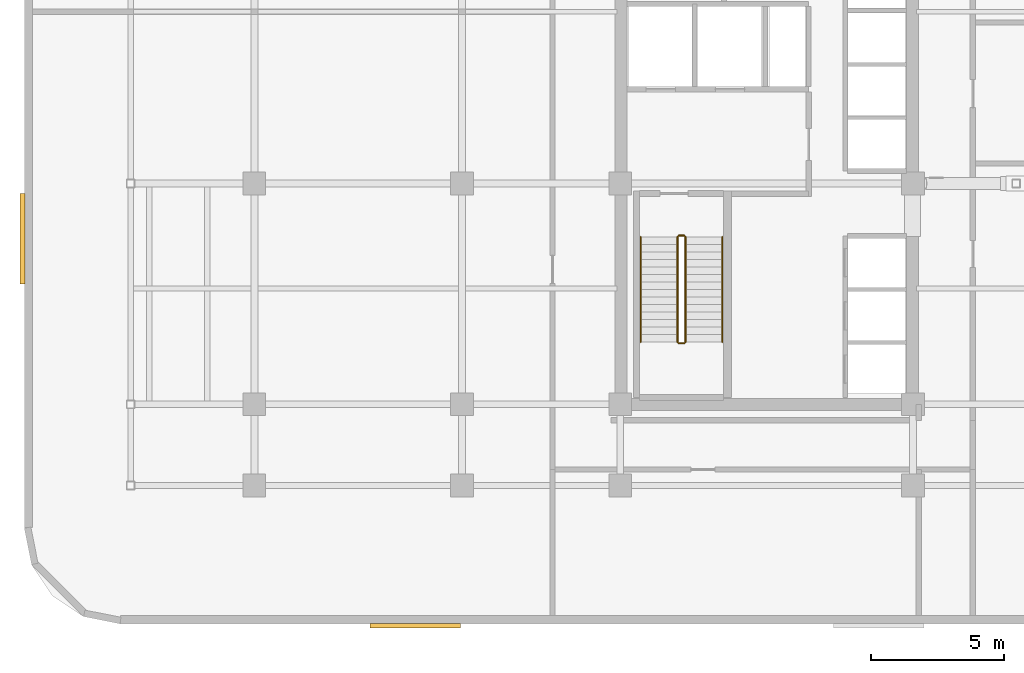
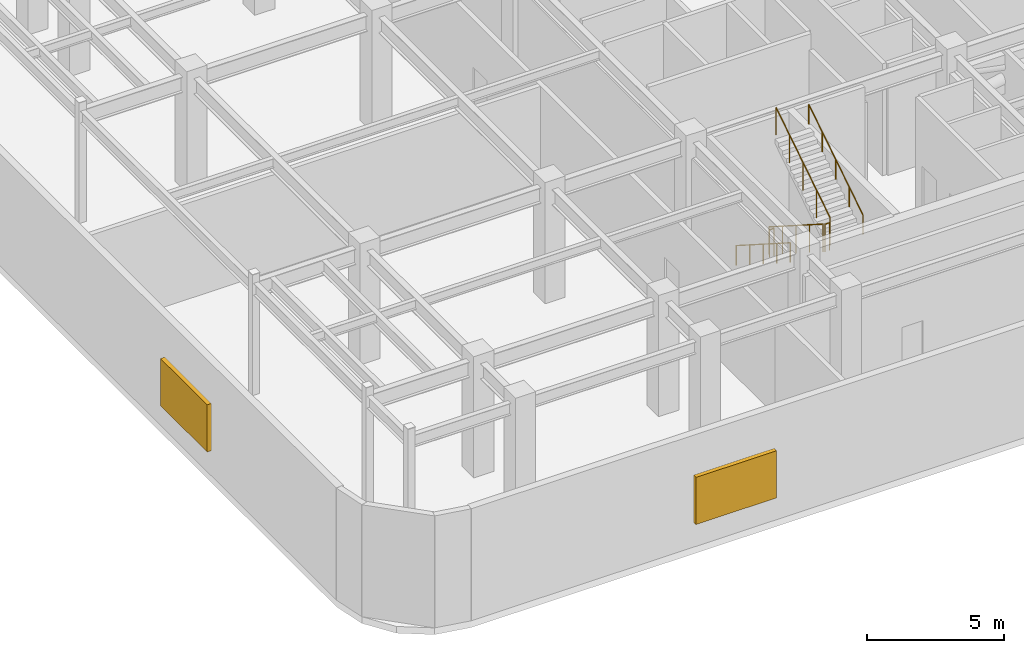
# One storey, part 11 of 14: 6 railings, 2 shading devices.
"""IFC4 building model written with IfcOpenShell, lengths in metres."""

import ifcopenshell
import ifcopenshell.guid

model = None  # the IFC model being written
_history = None  # IfcOwnerHistory: only IFC2X3 demands one
_inside = {}  # id of a spatial element -> (the spatial element, [elements in it])
_under = {}  # id of a project, library or spatial element -> (it, [spatial elements below it])
_declared = {}  # id of a project -> (the project, [libraries it declares])
_typed = {}  # id of a type object -> (the type object, [elements of that type])
_made_of = {}  # id of a material, layer set ... -> (it, [elements and type objects made of it])


def new_model(schema):
    """Start an empty IFC model of exactly this schema.

    Asked for "IFC4X3", IfcOpenShell would pick the latest addendum, in which some entities
    have other attributes; the version numbers below select the first issue.
    IFC2X3 requires an IfcOwnerHistory on every rooted entity: one is made here for all.
    """
    global model, _history
    if schema == "IFC4X3":
        model = ifcopenshell.file(schema_version=(4, 3, 0, 0))
    else:
        model = ifcopenshell.file(schema=schema)
    _inside.clear()
    _under.clear()
    _declared.clear()
    _typed.clear()
    _made_of.clear()
    _history = None
    if model.schema == "IFC2X3":
        org = make("IfcOrganization", Name="unknown")
        user = make(
            "IfcPersonAndOrganization",
            ThePerson=make("IfcPerson", FamilyName="unknown"),
            TheOrganization=org,
        )
        app = make(
            "IfcApplication",
            ApplicationDeveloper=org,
            Version="unknown",
            ApplicationFullName="unknown",
            ApplicationIdentifier="unknown",
        )
        _history = make(
            "IfcOwnerHistory",
            OwningUser=user,
            OwningApplication=app,
            ChangeAction="ADDED",
            CreationDate=0,
        )
    return model


def make(cls, **values):
    """One entity of the class cls with the attributes given. An attribute that is None is left unset."""
    return model.create_entity(
        cls, **{name: value for name, value in values.items() if value is not None}
    )


def rooted(cls, **values):
    """An entity with a GlobalId (a new one), such as an element, a storey or a relation."""
    return make(cls, GlobalId=ifcopenshell.guid.new(), OwnerHistory=_history, **values)


def si_unit(unit_type, name, prefix=None):
    """IfcSIUnit, for example si_unit("LENGTHUNIT", "METRE", prefix="MILLI")."""
    return make("IfcSIUnit", UnitType=unit_type, Prefix=prefix, Name=name)


def assignment(units):
    """IfcUnitAssignment: the units of a project."""
    return None if units is None else make("IfcUnitAssignment", Units=units)


def point(xyz):
    """IfcCartesianPoint."""
    return None if xyz is None else make("IfcCartesianPoint", Coordinates=xyz)


def direction(xyz):
    """IfcDirection."""
    return None if xyz is None else make("IfcDirection", DirectionRatios=xyz)


def frame(location, z_axis=None, x_axis=None):
    """IfcAxis2Placement3D, a coordinate frame: its origin and axes. An axis left out is left unset."""
    return make(
        "IfcAxis2Placement3D",
        Location=point(location),
        Axis=direction(z_axis),
        RefDirection=direction(x_axis),
    )


def frame_2d(location, x_axis=None):
    """IfcAxis2Placement2D, a coordinate frame in the plane: its origin and x axis."""
    return make(
        "IfcAxis2Placement2D", Location=point(location), RefDirection=direction(x_axis)
    )


def origin():
    """The frame at (0, 0, 0) with its axes left unset."""
    return frame((0.0, 0.0, 0.0))


def origin_2d():
    """The frame at (0, 0) in the plane with its x axis left unset."""
    return frame_2d((0.0, 0.0))


def place(relative_to, where):
    """IfcLocalPlacement: puts the frame where relative to a parent placement (None: the world)."""
    return make(
        "IfcLocalPlacement", PlacementRelTo=relative_to, RelativePlacement=where
    )


def context(
    kind, dimensions, precision=None, world=None, true_north=None, identifier=None
):
    """IfcGeometricRepresentationContext, for example the 3D "Model" context."""
    return make(
        "IfcGeometricRepresentationContext",
        ContextIdentifier=identifier,
        ContextType=kind,
        CoordinateSpaceDimension=dimensions,
        Precision=precision,
        WorldCoordinateSystem=world,
        TrueNorth=true_north,
    )


def subcontext(parent, identifier, kind, view, scale=None):
    """IfcGeometricRepresentationSubContext, for example "Body" below "Model"."""
    return make(
        "IfcGeometricRepresentationSubContext",
        ContextIdentifier=identifier,
        ContextType=kind,
        ParentContext=parent,
        TargetScale=scale,
        TargetView=view,
    )


def project(units=None, contexts=None):
    """IfcProject with its units and contexts."""
    return rooted(
        "IfcProject",
        Name="project",
        RepresentationContexts=contexts,
        UnitsInContext=assignment(units),
    )


def spatial(cls, under=None, at=None, **own):
    """A site, building, storey or space (cls), placed at a placement, below another one or the project."""
    s = rooted(cls, ObjectPlacement=at, **own)
    if under is not None:
        _under.setdefault(under.id(), (under, []))[1].append(s)
    return s


def profile(cls, at=None, kind="AREA", **sizes):
    """A parametric profile (cls). Its sizes go by their IFC names, for example OverallWidth=200.0."""
    return make(cls, ProfileType=kind, Position=at, **sizes)


def rectangle(**sizes):
    """IfcRectangleProfileDef."""
    return profile("IfcRectangleProfileDef", **sizes)


def circle(**sizes):
    """IfcCircleProfileDef."""
    return profile("IfcCircleProfileDef", **sizes)


def extrude(swept, where, along, depth):
    """IfcExtrudedAreaSolid: the profile swept, set in the frame where, extruded along a direction by depth."""
    return make(
        "IfcExtrudedAreaSolid",
        SweptArea=swept,
        Position=where,
        ExtrudedDirection=direction(along),
        Depth=depth,
    )


def shape(context_of_items, identifier, shape_type, items):
    """IfcShapeRepresentation: the items that make up one representation, for example the "Body"."""
    return make(
        "IfcShapeRepresentation",
        ContextOfItems=context_of_items,
        RepresentationIdentifier=identifier,
        RepresentationType=shape_type,
        Items=items,
    )


def material(Name=None, Category=None):
    """IfcMaterial."""
    return make("IfcMaterial", Name=Name, Category=Category)


def layer(
    of_material, thickness, ventilated=None, Name=None, Category=None, Priority=None
):
    """IfcMaterialLayer: one layer of a wall or slab, of a material (None: an air gap)."""
    return make(
        "IfcMaterialLayer",
        Material=of_material,
        LayerThickness=thickness,
        IsVentilated=ventilated,
        Name=Name,
        Category=Category,
        Priority=Priority,
    )


def layer_set(layers, Name=None):
    """IfcMaterialLayerSet."""
    return make("IfcMaterialLayerSet", MaterialLayers=layers, LayerSetName=Name)


def made_of(thing, what):
    """Note that an element or type object is made of a material, layer set ...; save() writes the relation."""
    if what is not None:
        _made_of.setdefault(what.id(), (what, []))[1].append(thing)
    return thing


def type_object(cls, material=None, **own):
    """A type object (cls), such as IfcWallType, which elements share."""
    return made_of(rooted(cls, **own), material)


def element(
    cls,
    number,
    at=None,
    inside=None,
    cuts=None,
    type_object=None,
    material=None,
    context=None,
    identifier="Body",
    shape_type=None,
    held_by="IfcProductDefinitionShape",
    body=None,
    shapes=None,
    **own,
):
    """One element of the class cls, such as IfcWall. Its Tag is "e" and its number.

    at: its placement. inside: the storey or other place that contains it. cuts: it is an
    opening in that element (IfcRelVoidsElement). A single representation is given by context,
    identifier, shape_type and body (its items); several are given by shapes. held_by: the class
    of the entity that holds the representations. save() writes the other relations.
    """
    e = rooted(cls, Tag="e%d" % number, ObjectPlacement=at, **own)
    if body is not None:
        shapes = [shape(context, identifier, shape_type, body)]
    if shapes is not None:
        e.Representation = make(held_by, Representations=shapes)
    if inside is not None:
        _inside.setdefault(inside.id(), (inside, []))[1].append(e)
    if cuts is not None:
        rooted(
            "IfcRelVoidsElement", RelatingBuildingElement=cuts, RelatedOpeningElement=e
        )
    if type_object is not None:
        _typed.setdefault(type_object.id(), (type_object, []))[1].append(e)
    return made_of(e, material)


def aggregate(whole, parts):
    """IfcRelAggregates: a whole, such as a stair, and the parts it consists of."""
    return rooted("IfcRelAggregates", RelatingObject=whole, RelatedObjects=parts)


def save(model, path):
    """Write the relations noted so far, then the file.

    IfcRelAggregates (storeys below a building ...), IfcRelContainedInSpatialStructure (elements
    in a storey), IfcRelDefinesByType, IfcRelAssociatesMaterial and IfcRelDeclares: one each for
    every whole, place, type object, material and project.
    """
    for whole, parts in _under.values():
        aggregate(whole, parts)
    for where, things in _inside.values():
        rooted(
            "IfcRelContainedInSpatialStructure",
            RelatedElements=things,
            RelatingStructure=where,
        )
    for kind, things in _typed.values():
        rooted("IfcRelDefinesByType", RelatedObjects=things, RelatingType=kind)
    for what, things in _made_of.values():
        rooted("IfcRelAssociatesMaterial", RelatedObjects=things, RelatingMaterial=what)
    for by, libraries in _declared.values():
        rooted("IfcRelDeclares", RelatingContext=by, RelatedDefinitions=libraries)
    model.write(path)


model = new_model("IFC4")

# Units and contexts
model_context = context("Model", 3, precision=1e-05, world=origin(), true_north=direction((0.0, 1.0)))
body_context = subcontext(model_context, "Body", "Model", "MODEL_VIEW")
ifc_project = project(units=[si_unit("LENGTHUNIT", "METRE"), si_unit("AREAUNIT", "SQUARE_METRE"), si_unit("VOLUMEUNIT", "CUBIC_METRE"), si_unit("PLANEANGLEUNIT", "RADIAN"), si_unit("MASSUNIT", "GRAM", prefix="KILO")], contexts=[model_context])

# Site, building, storey
site_placement = place(None, origin())
site = spatial("IfcSite", under=ifc_project, at=site_placement, CompositionType="ELEMENT")
building_placement = place(site_placement, origin())
building = spatial("IfcBuilding", under=site, at=building_placement, Name="Ochreholt Gables", CompositionType="ELEMENT")
storey_placement = place(building_placement, frame((0.0, 0.0, 71.39990234375)))
storey = spatial("IfcBuildingStorey", under=building, at=storey_placement, Name="L18", CompositionType="ELEMENT", Elevation=71.39990234375)

# Railings
ifc_material_1 = material(Name="Painted Steel Stair Guardrail", Category="steel")
railing_type_1 = type_object("IfcRailingType", Name="RL-ST-GUARD", PredefinedType="GUARDRAIL", material=ifc_material_1)
railing_1_placement = place(storey_placement, frame((26.35009765625, 15.5400390625, 0.18017578125)))
element("IfcRailing", 1, at=railing_1_placement, inside=storey, type_object=railing_type_1, Name="L18 ST-1 stair guard 1", PredefinedType="GUARDRAIL", context=body_context, shape_type="SweptSolid", body=[
    extrude(circle(Radius=0.02392578125, at=origin_2d()), frame((0.0, 0.0, 1.22607421875), z_axis=(0.0, -0.842920197654, 0.538038604922), x_axis=(1.0, 0.0, 0.0)), (0.0, 0.0, 1.0), 4.68359375),
    extrude(circle(Radius=0.02099609375, at=origin_2d()), origin(), (0.0, 0.0, 1.0), 1.201904296875),
    extrude(circle(Radius=0.02099609375, at=origin_2d()), frame((0.0, -0.987060546875, 0.6298828125)), (0.0, 0.0, 1.0), 1.201904296875),
    extrude(circle(Radius=0.02099609375, at=origin_2d()), frame((0.0, -1.97412109375, 1.260009765625)), (0.0, 0.0, 1.0), 1.201904296875),
    extrude(circle(Radius=0.02099609375, at=origin_2d()), frame((0.0, -2.9609375, 1.89013671875)), (0.0, 0.0, 1.0), 1.201904296875),
    extrude(circle(Radius=0.02099609375, at=origin_2d()), frame((0.0, -3.947998046875, 2.52001953125)), (0.0, 0.0, 1.0), 1.201904296875),
])
railing_2_placement = place(storey_placement, frame((26.39990234375, 11.5419921875, 2.7001953125)))
element("IfcRailing", 2, at=railing_2_placement, inside=storey, type_object=railing_type_1, Name="L18 ST-1 stair guard 2", PredefinedType="GUARDRAIL", context=body_context, shape_type="SweptSolid", body=[
    extrude(circle(Radius=0.02392578125, at=origin_2d()), frame((0.0, 0.0, 1.22607421875), z_axis=(1.0, 0.0, 0.0), x_axis=(0.0, 1.0, 0.0)), (0.0, 0.0, 1.0), 0.2001953125),
    extrude(circle(Radius=0.02099609375, at=origin_2d()), origin(), (0.0, 0.0, 1.0), 1.201904296875),
    extrude(circle(Radius=0.02099609375, at=origin_2d()), frame((0.2001953125, 0.0, 0.0)), (0.0, 0.0, 1.0), 1.201904296875),
])
railing_3_placement = place(storey_placement, frame((26.64990234375, 11.592041015625, 2.880126953125)))
element("IfcRailing", 3, at=railing_3_placement, inside=storey, type_object=railing_type_1, Name="L18 ST-1 stair guard 3", PredefinedType="GUARDRAIL", context=body_context, shape_type="SweptSolid", body=[
    extrude(circle(Radius=0.02392578125, at=origin_2d()), frame((0.0, 0.0, 1.22607421875), z_axis=(0.0, 0.842920197654, 0.538038604922), x_axis=(-1.0, 0.0, 0.0)), (0.0, 0.0, 1.0), 4.68359375),
    extrude(circle(Radius=0.02099609375, at=origin_2d()), origin(), (0.0, 0.0, 1.0), 1.201904296875),
    extrude(circle(Radius=0.02099609375, at=origin_2d()), frame((0.0, 0.987060546875, 0.6298828125)), (0.0, 0.0, 1.0), 1.201904296875),
    extrude(circle(Radius=0.02099609375, at=origin_2d()), frame((0.0, 1.97412109375, 1.260009765625)), (0.0, 0.0, 1.0), 1.201904296875),
    extrude(circle(Radius=0.02099609375, at=origin_2d()), frame((0.0, 2.9609375, 1.89013671875)), (0.0, 0.0, 1.0), 1.201904296875),
    extrude(circle(Radius=0.02099609375, at=origin_2d()), frame((0.0, 3.947998046875, 2.52001953125)), (0.0, 0.0, 1.0), 1.201904296875),
])
railing_4_placement = place(storey_placement, frame((26.39990234375, 15.590087890625, 0.0)))
element("IfcRailing", 4, at=railing_4_placement, inside=storey, type_object=railing_type_1, Name="L18 ST-1 stair guard 4", PredefinedType="GUARDRAIL", context=body_context, shape_type="SweptSolid", body=[
    extrude(circle(Radius=0.02392578125, at=origin_2d()), frame((0.0, 0.0, 1.22607421875), z_axis=(1.0, 0.0, 0.0), x_axis=(0.0, 1.0, 0.0)), (0.0, 0.0, 1.0), 0.2001953125),
    extrude(circle(Radius=0.02099609375, at=origin_2d()), origin(), (0.0, 0.0, 1.0), 1.201904296875),
    extrude(circle(Radius=0.02099609375, at=origin_2d()), frame((0.2001953125, 0.0, 0.0)), (0.0, 0.0, 1.0), 1.201904296875),
])
ifc_material_2 = material(Name="Brushed Stainless Steel Wall Handrail", Category="steel")
railing_type_2 = type_object("IfcRailingType", Name="RL-ST-HAND", PredefinedType="HANDRAIL", material=ifc_material_2)
railing_5_placement = place(storey_placement, frame((24.969970703125, 15.5400390625, 0.18017578125)))
element("IfcRailing", 5, at=railing_5_placement, inside=storey, type_object=railing_type_2, Name="L18 ST-1 stair handrail 1", PredefinedType="HANDRAIL", context=body_context, shape_type="SweptSolid", body=[
    extrude(circle(Radius=0.02392578125, at=origin_2d()), frame((0.0, 0.0, 0.8759765625), z_axis=(0.0, -0.842920197654, 0.538038604922), x_axis=(1.0, 0.0, 0.0)), (0.0, 0.0, 1.0), 4.68359375),
    extrude(circle(Radius=0.02099609375, at=origin_2d()), origin(), (0.0, 0.0, 1.0), 0.851806640625),
    extrude(circle(Radius=0.02099609375, at=origin_2d()), frame((0.0, -0.987060546875, 0.6298828125)), (0.0, 0.0, 1.0), 0.851806640625),
    extrude(circle(Radius=0.02099609375, at=origin_2d()), frame((0.0, -1.97412109375, 1.260009765625)), (0.0, 0.0, 1.0), 0.851806640625),
    extrude(circle(Radius=0.02099609375, at=origin_2d()), frame((0.0, -2.9609375, 1.89013671875)), (0.0, 0.0, 1.0), 0.851806640625),
    extrude(circle(Radius=0.02099609375, at=origin_2d()), frame((0.0, -3.947998046875, 2.52001953125)), (0.0, 0.0, 1.0), 0.851806640625),
])
railing_6_placement = place(storey_placement, frame((28.030029296875, 11.592041015625, 2.880126953125)))
element("IfcRailing", 6, at=railing_6_placement, inside=storey, type_object=railing_type_2, Name="L18 ST-1 stair handrail 2", PredefinedType="HANDRAIL", context=body_context, shape_type="SweptSolid", body=[
    extrude(circle(Radius=0.02392578125, at=origin_2d()), frame((0.0, 0.0, 0.8759765625), z_axis=(0.0, 0.842920197654, 0.538038604922), x_axis=(-1.0, 0.0, 0.0)), (0.0, 0.0, 1.0), 4.68359375),
    extrude(circle(Radius=0.02099609375, at=origin_2d()), origin(), (0.0, 0.0, 1.0), 0.851806640625),
    extrude(circle(Radius=0.02099609375, at=origin_2d()), frame((0.0, 0.987060546875, 0.6298828125)), (0.0, 0.0, 1.0), 0.851806640625),
    extrude(circle(Radius=0.02099609375, at=origin_2d()), frame((0.0, 1.97412109375, 1.260009765625)), (0.0, 0.0, 1.0), 0.851806640625),
    extrude(circle(Radius=0.02099609375, at=origin_2d()), frame((0.0, 2.9609375, 1.89013671875)), (0.0, 0.0, 1.0), 0.851806640625),
    extrude(circle(Radius=0.02099609375, at=origin_2d()), frame((0.0, 3.947998046875, 2.52001953125)), (0.0, 0.0, 1.0), 0.851806640625),
])

# Shading devices
ifc_material_3 = material(Name="Anodized Aluminium Acoustic Weather Louvre", Category="aluminium")
ifc_layer = layer(ifc_material_3, 0.179931640625, Name="Anodized Aluminium Acoustic Weather Louvre")
ifc_layer_set = layer_set([ifc_layer], Name="Anodized Aluminium Acoustic Weather Louvre")
shading_device_type = type_object("IfcShadingDeviceType", Name="SHD-LOUVRE", PredefinedType="JALOUSIE", material=ifc_layer_set)
for number, where, z_axis, x_axis, name in (
    (7, (16.488037109375, 0.929931640625, 1.10009765625), (0.0, 0.0, 1.0), (1.0, 0.0, 0.0), "L18 Acoustic Plant Louvre South-1"),
    (8, (1.72998046875, 15.464111328125, 1.10009765625), (0.0, 0.0, 1.0), (0.0, -1.0, 0.0), "L18 Acoustic Plant Louvre West-2"),
):
    element("IfcShadingDevice", number, at=place(storey_placement, frame(where, z_axis=z_axis, x_axis=x_axis)), inside=storey, type_object=shading_device_type, Name=name, PredefinedType="JALOUSIE", context=body_context, shape_type="SweptSolid", body=[
        extrude(rectangle(XDim=3.39990234375, YDim=0.179931640625, at=origin_2d()), origin(), (0.0, 0.0, 1.0), 2.10009765625),
    ])

save(model, "model.ifc")
